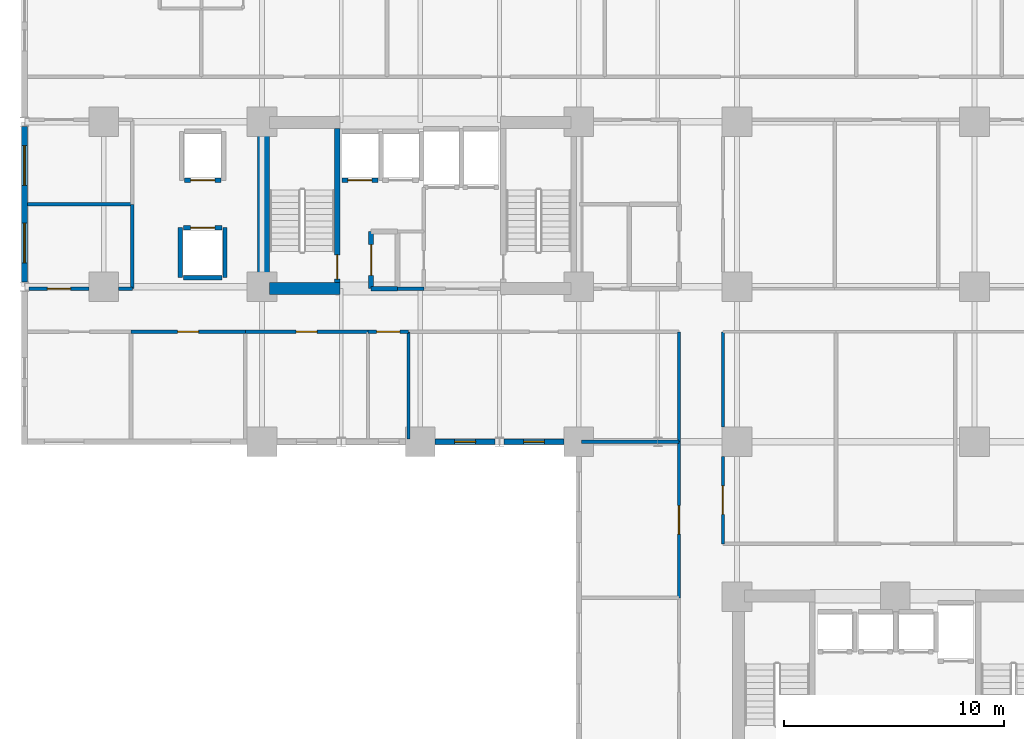
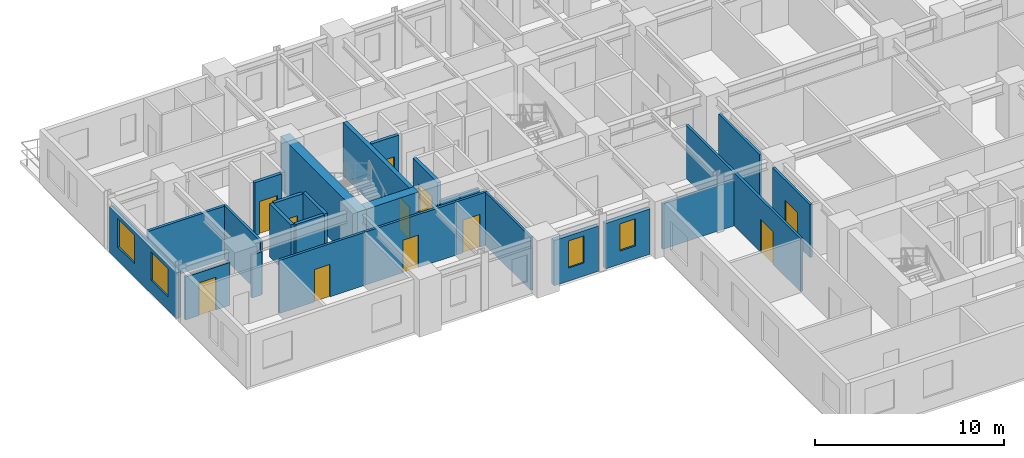
# One storey, part 3 of 11: 28 walls, 11 doors, 4 windows, 15 openings.
"""IFC4 building model written with IfcOpenShell, lengths in metres."""

from ifc_helpers import new_model, si_unit, direction, frame, frame_2d, origin, place, context, subcontext, project, spatial, rectangle, extrude, material, layer, layer_set, type_object, element, fill, save


model = new_model("IFC4")

# Units and contexts
model_context = context("Model", 3, precision=1e-05, world=origin(), true_north=direction((0.0, 1.0)))
body_context = subcontext(model_context, "Body", "Model", "MODEL_VIEW")
ifc_project = project(units=[si_unit("LENGTHUNIT", "METRE"), si_unit("AREAUNIT", "SQUARE_METRE"), si_unit("VOLUMEUNIT", "CUBIC_METRE"), si_unit("PLANEANGLEUNIT", "RADIAN"), si_unit("MASSUNIT", "GRAM", prefix="KILO")], contexts=[model_context])

# Site, building, storey
site_placement = place(None, origin())
site = spatial("IfcSite", under=ifc_project, at=site_placement, CompositionType="ELEMENT")
building_placement = place(site_placement, origin())
building = spatial("IfcBuilding", under=site, at=building_placement, Name="Kaliganga Portal Commons", CompositionType="ELEMENT")
storey_placement = place(building_placement, frame((0.0, 0.0, 40.10009765625)))
storey = spatial("IfcBuildingStorey", under=building, at=storey_placement, Name="L09", CompositionType="ELEMENT", Elevation=40.10009765625)

# Walls
ifc_material_1 = material(Name="Concrete C60/75", Category="concrete")
ifc_layer_1 = layer(ifc_material_1, 0.550048828125)
ifc_layer_set_1 = layer_set([ifc_layer_1], Name="Concrete C60/75")
wall_type_1 = type_object("IfcWallType", Name="WL-CORE-550", PredefinedType="SHEAR", material=ifc_layer_set_1)
wall_1_placement = place(storey_placement, frame((14.47509765625, 28.300048828125, 0.0), z_axis=(0.0, 0.0, 1.0), x_axis=(0.0, 1.0, 0.0)))
element("IfcWall", 1, at=wall_1_placement, inside=storey, type_object=wall_type_1, Name="Core A West Shear Wall L09", PredefinedType="SHEAR", context=body_context, shape_type="SweptSolid", body=[
    extrude(rectangle(XDim=8.099853515625, YDim=0.550048828125, at=frame_2d((4.0498046875, 0.0))), origin(), (0.0, 0.0, 1.0), 3.449951171875),
])
wall_2_placement = place(storey_placement, frame((14.75, 28.574951171875, 0.0), z_axis=(0.0, 0.0, 1.0), x_axis=(1.0, 0.0, 0.0)))
element("IfcWall", 2, at=wall_2_placement, inside=storey, type_object=wall_type_1, Name="Core A S-West Shear Wall L09", PredefinedType="SHEAR", context=body_context, shape_type="SweptSolid", body=[
    extrude(rectangle(XDim=3.199951171875, YDim=0.550048828125, at=frame_2d((1.60009765625, 0.0))), origin(), (0.0, 0.0, 1.0), 3.449951171875),
])

# Wall, openings, windows
ifc_material_2 = material(Name="Insulated Aluminium-Clad Spandrel Assembly", Category="aluminium")
ifc_layer_2 = layer(ifc_material_2, 0.260009765625)
ifc_layer_set_2 = layer_set([ifc_layer_2], Name="Insulated Aluminium-Clad Spandrel Assembly")
wall_type_2 = type_object("IfcWallType", Name="WL-EXT-SPAND-260", PredefinedType="STANDARD", material=ifc_layer_set_2)
wall_3_placement = place(storey_placement, frame((3.60009765625, 28.8740234375, 0.0), z_axis=(0.0, 0.0, 1.0), x_axis=(0.0, 1.0, 0.0)))
wall_3 = element("IfcWall", 3, at=wall_3_placement, inside=storey, type_object=wall_type_2, Name="Exterior Envelope Wall L09 P1-E03-S2", PredefinedType="STANDARD", context=body_context, shape_type="SweptSolid", body=[
    extrude(rectangle(XDim=7.052001953125, YDim=0.260009765625, at=frame_2d((3.52587890625, 0.0))), origin(), (0.0, 0.0, 1.0), 2.929931640625),
])
opening_1_placement = place(wall_3_placement, frame((0.863037109375, 0.0, 0.85009765625)))
opening_1 = element("IfcOpeningElement", 4, at=opening_1_placement, cuts=wall_3, Name="Opening W-01", PredefinedType="OPENING", context=body_context, shape_type="SweptSolid", body=[
    extrude(rectangle(XDim=1.800048828125, YDim=1.85009765625, at=frame_2d((0.89990234375, 0.925048828125))), frame((0.0, 0.14013671875, 0.0), z_axis=(0.0, -1.0, 0.0), x_axis=(1.0, 0.0, 0.0)), (0.0, 0.0, 1.0), 0.280029296875),
])
opening_2_placement = place(wall_3_placement, frame((4.388916015625, 0.0, 0.85009765625)))
opening_2 = element("IfcOpeningElement", 5, at=opening_2_placement, cuts=wall_3, Name="Opening W-01", PredefinedType="OPENING", context=body_context, shape_type="SweptSolid", body=[
    extrude(rectangle(XDim=1.800048828125, YDim=1.85009765625, at=frame_2d((0.89990234375, 0.925048828125))), frame((0.0, 0.14013671875, 0.0), z_axis=(0.0, -1.0, 0.0), x_axis=(1.0, 0.0, 0.0)), (0.0, 0.0, 1.0), 0.280029296875),
])
ifc_material_3 = material(Name="Thermally Broken Aluminium and Low-E Double Glazing", Category="aluminium")
window_type_1 = type_object("IfcWindowType", Name="WIN-STD-1800", PartitioningType="DOUBLE_PANEL_VERTICAL", PredefinedType="WINDOW", material=ifc_material_3)
window_1_placement = place(opening_1_placement, origin())
window_1 = element("IfcWindow", 6, at=window_1_placement, inside=storey, type_object=window_type_1, Name="Facade Window L09-P1E03S2-00", OverallHeight=1.85009765625, OverallWidth=1.800048828125, PartitioningType="SINGLE_PANEL", PredefinedType="WINDOW", context=body_context, shape_type="SweptSolid", body=[
    extrude(rectangle(XDim=1.800048828125, YDim=1.85009765625, at=frame_2d((0.89990234375, 0.925048828125))), frame((0.0, 0.030029296875, 0.0), z_axis=(0.0, -1.0, 0.0), x_axis=(1.0, 0.0, 0.0)), (0.0, 0.0, 1.0), 0.06005859375),
])
fill(opening_1, window_1)
window_2_placement = place(opening_2_placement, origin())
window_2 = element("IfcWindow", 7, at=window_2_placement, inside=storey, type_object=window_type_1, Name="Facade Window L09-P1E03S2-01", OverallHeight=1.85009765625, OverallWidth=1.800048828125, PartitioningType="SINGLE_PANEL", PredefinedType="WINDOW", context=body_context, shape_type="SweptSolid", body=[
    extrude(rectangle(XDim=1.800048828125, YDim=1.85009765625, at=frame_2d((0.89990234375, 0.925048828125))), frame((0.0, 0.030029296875, 0.0), z_axis=(0.0, -1.0, 0.0), x_axis=(1.0, 0.0, 0.0)), (0.0, 0.0, 1.0), 0.06005859375),
])
fill(opening_2, window_2)

# Wall, opening, window
wall_4_placement = place(storey_placement, frame((24.990966796875, 21.60009765625, 0.0), z_axis=(0.0, 0.0, 1.0), x_axis=(-1.0, 0.0, 0.0)))
wall_4 = element("IfcWall", 8, at=wall_4_placement, inside=storey, type_object=wall_type_2, Name="Exterior Envelope Wall L09 P1-E04-S4", PredefinedType="STANDARD", context=body_context, shape_type="SweptSolid", body=[
    extrude(rectangle(XDim=2.715087890625, YDim=0.260009765625, at=frame_2d((1.357421875, 0.0))), origin(), (0.0, 0.0, 1.0), 2.929931640625),
])
opening_3_placement = place(wall_4_placement, frame((0.882568359375, 0.0, 0.85009765625)))
opening_3 = element("IfcOpeningElement", 9, at=opening_3_placement, cuts=wall_4, Name="Opening W-04", PredefinedType="OPENING", context=body_context, shape_type="SweptSolid", body=[
    extrude(rectangle(XDim=0.949951171875, YDim=1.75, at=frame_2d((0.47509765625, 0.875))), frame((0.0, 0.14013671875, 0.0), z_axis=(0.0, -1.0, 0.0), x_axis=(1.0, 0.0, 0.0)), (0.0, 0.0, 1.0), 0.280029296875),
])
window_type_2 = type_object("IfcWindowType", Name="WIN-NARROW-950", PartitioningType="SINGLE_PANEL", PredefinedType="WINDOW", material=ifc_material_3)
window_3_placement = place(opening_3_placement, origin())
window_3 = element("IfcWindow", 10, at=window_3_placement, inside=storey, type_object=window_type_2, Name="Facade Window L09-P1E04S4-00", OverallHeight=1.75, OverallWidth=0.949951171875, PartitioningType="SINGLE_PANEL", PredefinedType="WINDOW", context=body_context, shape_type="SweptSolid", body=[
    extrude(rectangle(XDim=0.949951171875, YDim=1.75, at=frame_2d((0.47509765625, 0.875))), frame((0.0, 0.030029296875, 0.0), z_axis=(0.0, -1.0, 0.0), x_axis=(1.0, 0.0, 0.0)), (0.0, 0.0, 1.0), 0.06005859375),
])
fill(opening_3, window_3)

wall_5_placement = place(storey_placement, frame((28.1240234375, 21.60009765625, 0.0), z_axis=(0.0, 0.0, 1.0), x_axis=(-1.0, 0.0, 0.0)))
wall_5 = element("IfcWall", 11, at=wall_5_placement, inside=storey, type_object=wall_type_2, Name="Exterior Envelope Wall L09 P1-E04-S5", PredefinedType="STANDARD", context=body_context, shape_type="SweptSolid", body=[
    extrude(rectangle(XDim=2.715087890625, YDim=0.260009765625, at=frame_2d((1.357421875, 0.0))), origin(), (0.0, 0.0, 1.0), 2.929931640625),
])
opening_4_placement = place(wall_5_placement, frame((0.882568359375, 0.0, 0.85009765625)))
opening_4 = element("IfcOpeningElement", 12, at=opening_4_placement, cuts=wall_5, Name="Opening W-04", PredefinedType="OPENING", context=body_context, shape_type="SweptSolid", body=[
    extrude(rectangle(XDim=0.949951171875, YDim=1.75, at=frame_2d((0.47509765625, 0.875))), frame((0.0, 0.14013671875, 0.0), z_axis=(0.0, -1.0, 0.0), x_axis=(1.0, 0.0, 0.0)), (0.0, 0.0, 1.0), 0.280029296875),
])
window_4_placement = place(opening_4_placement, origin())
window_4 = element("IfcWindow", 13, at=window_4_placement, inside=storey, type_object=window_type_2, Name="Facade Window L09-P1E04S5-00", OverallHeight=1.75, OverallWidth=0.949951171875, PartitioningType="SINGLE_PANEL", PredefinedType="WINDOW", context=body_context, shape_type="SweptSolid", body=[
    extrude(rectangle(XDim=0.949951171875, YDim=1.75, at=frame_2d((0.47509765625, 0.875))), frame((0.0, 0.030029296875, 0.0), z_axis=(0.0, -1.0, 0.0), x_axis=(1.0, 0.0, 0.0)), (0.0, 0.0, 1.0), 0.06005859375),
])
fill(opening_4, window_4)

# Wall, opening, door
ifc_material_4 = material(Name="Fire-Rated Gypsum Board on Steel Stud", Category="steel")
ifc_layer_3 = layer(ifc_material_4, 0.14990234375)
ifc_layer_set_3 = layer_set([ifc_layer_3], Name="Fire-Rated Gypsum Board on Steel Stud")
wall_type_3 = type_object("IfcWallType", Name="WL-PART-CORR-150", PredefinedType="PARTITIONING", material=ifc_layer_set_3)
wall_6_placement = place(storey_placement, frame((35.360107421875, 16.9599609375, 0.0), z_axis=(0.0, 0.0, 1.0), x_axis=(0.0, 1.0, 0.0)))
wall_6 = element("IfcWall", 14, at=wall_6_placement, inside=storey, type_object=wall_type_3, Name="Interior Partition L09-010", PredefinedType="PARTITIONING", context=body_context, shape_type="SweptSolid", body=[
    extrude(rectangle(XDim=3.965087890625, YDim=0.14990234375, at=frame_2d((1.982421875, 0.0))), origin(), (0.0, 0.0, 1.0), 3.429931640625),
])
opening_5_placement = place(wall_6_placement, frame((1.33251953125, 0.0, 0.0)))
opening_5 = element("IfcOpeningElement", 15, at=opening_5_placement, cuts=wall_6, Name="Opening RD-03", PredefinedType="OPENING", context=body_context, shape_type="SweptSolid", body=[
    extrude(rectangle(XDim=1.300048828125, YDim=2.1201171875, at=frame_2d((0.64990234375, 1.06005859375))), frame((0.0, 0.0849609375, 0.0), z_axis=(0.0, -1.0, 0.0), x_axis=(1.0, 0.0, 0.0)), (0.0, 0.0, 1.0), 0.169921875),
])
ifc_material_5 = material(Name="Glazed Timber Seminar Vision Door", Category="wood")
door_type_1 = type_object("IfcDoorType", Name="DR-STUDY-1300", OperationType="DOUBLE_DOOR_SINGLE_SWING", PredefinedType="DOOR", material=ifc_material_5)
door_1_placement = place(opening_5_placement, origin())
door_1 = element("IfcDoor", 16, at=door_1_placement, inside=storey, type_object=door_type_1, Name="Interior Door L09-BM01", OperationType="DOUBLE_DOOR_SINGLE_SWING", OverallHeight=2.1201171875, OverallWidth=1.300048828125, PredefinedType="DOOR", context=body_context, shape_type="SweptSolid", body=[
    extrude(rectangle(XDim=1.300048828125, YDim=2.1201171875, at=frame_2d((0.64990234375, 1.06005859375))), frame((0.0, 0.02490234375, 0.0), z_axis=(0.0, -1.0, 0.0), x_axis=(1.0, 0.0, 0.0)), (0.0, 0.0, 1.0), 0.050048828125),
])
fill(opening_5, door_1)

# Wall
wall_7_placement = place(storey_placement, frame((35.360107421875, 22.27490234375, 0.0), z_axis=(0.0, 0.0, 1.0), x_axis=(0.0, 1.0, 0.0)))
element("IfcWall", 17, at=wall_7_placement, inside=storey, type_object=wall_type_3, Name="Interior Partition L09-011", PredefinedType="PARTITIONING", context=body_context, shape_type="SweptSolid", body=[
    extrude(rectangle(XDim=4.3251953125, YDim=0.14990234375, at=frame_2d((2.16259765625, 0.0))), origin(), (0.0, 0.0, 1.0), 3.429931640625),
])

# Wall, opening, door
wall_8_placement = place(storey_placement, frame((33.360107421875, 14.5, 0.0), z_axis=(0.0, 0.0, 1.0), x_axis=(0.0, 1.0, 0.0)))
wall_8 = element("IfcWall", 18, at=wall_8_placement, inside=storey, type_object=wall_type_3, Name="Interior Partition L09-020", PredefinedType="PARTITIONING", context=body_context, shape_type="SweptSolid", body=[
    extrude(rectangle(XDim=7.10009765625, YDim=0.14990234375, at=frame_2d((3.550048828125, 0.0))), origin(), (0.0, 0.0, 1.0), 3.429931640625),
])
opening_6_placement = place(wall_8_placement, frame((2.89990234375, 0.0, 0.0)))
opening_6 = element("IfcOpeningElement", 19, at=opening_6_placement, cuts=wall_8, Name="Opening RD-03", PredefinedType="OPENING", context=body_context, shape_type="SweptSolid", body=[
    extrude(rectangle(XDim=1.300048828125, YDim=2.1201171875, at=frame_2d((0.64990234375, 1.06005859375))), frame((0.0, 0.0849609375, 0.0), z_axis=(0.0, -1.0, 0.0), x_axis=(1.0, 0.0, 0.0)), (0.0, 0.0, 1.0), 0.169921875),
])
door_2_placement = place(opening_6_placement, origin())
door_2 = element("IfcDoor", 20, at=door_2_placement, inside=storey, type_object=door_type_1, Name="Interior Door L09-KW02", OperationType="DOUBLE_DOOR_SINGLE_SWING", OverallHeight=2.1201171875, OverallWidth=1.300048828125, PredefinedType="DOOR", context=body_context, shape_type="SweptSolid", body=[
    extrude(rectangle(XDim=1.300048828125, YDim=2.1201171875, at=frame_2d((0.64990234375, 1.06005859375))), frame((0.0, 0.02490234375, 0.0), z_axis=(0.0, -1.0, 0.0), x_axis=(1.0, 0.0, 0.0)), (0.0, 0.0, 1.0), 0.050048828125),
])
fill(opening_6, door_2)

wall_9_placement = place(storey_placement, frame((13.639892578125, 26.60009765625, 0.0), z_axis=(0.0, 0.0, 1.0), x_axis=(1.0, 0.0, 0.0)))
wall_9 = element("IfcWall", 21, at=wall_9_placement, inside=storey, type_object=wall_type_3, Name="Interior Partition L09-028", PredefinedType="PARTITIONING", context=body_context, shape_type="SweptSolid", body=[
    extrude(rectangle(XDim=5.580078125, YDim=0.14990234375, at=frame_2d((2.7900390625, 0.0))), origin(), (0.0, 0.0, 1.0), 3.429931640625),
])
opening_7_placement = place(wall_9_placement, frame((2.31494140625, 0.0, 0.0)))
opening_7 = element("IfcOpeningElement", 22, at=opening_7_placement, cuts=wall_9, Name="Opening UD-01", PredefinedType="OPENING", context=body_context, shape_type="SweptSolid", body=[
    extrude(rectangle(XDim=0.949951171875, YDim=2.10009765625, at=frame_2d((0.47509765625, 1.050048828125))), frame((0.0, 0.0849609375, 0.0), z_axis=(0.0, -1.0, 0.0), x_axis=(1.0, 0.0, 0.0)), (0.0, 0.0, 1.0), 0.169921875),
])
ifc_material_6 = material(Name="Solid-Core Timber Acoustic Fire Door", Category="wood")
door_type_2 = type_object("IfcDoorType", Name="DR-UNIT-950", OperationType="NOTDEFINED", PredefinedType="DOOR", material=ifc_material_6)
door_3_placement = place(opening_7_placement, origin())
door_3 = element("IfcDoor", 23, at=door_3_placement, inside=storey, type_object=door_type_2, Name="Interior Door L09-AS03", OperationType="SINGLE_SWING_RIGHT", OverallHeight=2.10009765625, OverallWidth=0.949951171875, PredefinedType="DOOR", context=body_context, shape_type="SweptSolid", body=[
    extrude(rectangle(XDim=0.949951171875, YDim=2.10009765625, at=frame_2d((0.47509765625, 1.050048828125))), frame((0.0, 0.02490234375, 0.0), z_axis=(0.0, -1.0, 0.0), x_axis=(1.0, 0.0, 0.0)), (0.0, 0.0, 1.0), 0.050048828125),
])
fill(opening_7, door_3)

wall_10_placement = place(storey_placement, frame((8.43994140625, 26.60009765625, 0.0), z_axis=(0.0, 0.0, 1.0), x_axis=(1.0, 0.0, 0.0)))
wall_10 = element("IfcWall", 24, at=wall_10_placement, inside=storey, type_object=wall_type_3, Name="Interior Partition L09-031", PredefinedType="PARTITIONING", context=body_context, shape_type="SweptSolid", body=[
    extrude(rectangle(XDim=5.199951171875, YDim=0.14990234375, at=frame_2d((2.60009765625, 0.0))), origin(), (0.0, 0.0, 1.0), 3.429931640625),
])
opening_8_placement = place(wall_10_placement, frame((2.125, 0.0, 0.0)))
opening_8 = element("IfcOpeningElement", 25, at=opening_8_placement, cuts=wall_10, Name="Opening UD-01", PredefinedType="OPENING", context=body_context, shape_type="SweptSolid", body=[
    extrude(rectangle(XDim=0.949951171875, YDim=2.10009765625, at=frame_2d((0.47509765625, 1.050048828125))), frame((0.0, 0.0849609375, 0.0), z_axis=(0.0, -1.0, 0.0), x_axis=(1.0, 0.0, 0.0)), (0.0, 0.0, 1.0), 0.169921875),
])
door_4_placement = place(opening_8_placement, origin())
door_4 = element("IfcDoor", 26, at=door_4_placement, inside=storey, type_object=door_type_2, Name="Interior Door L09-AS02", OperationType="SINGLE_SWING_LEFT", OverallHeight=2.10009765625, OverallWidth=0.949951171875, PredefinedType="DOOR", context=body_context, shape_type="SweptSolid", body=[
    extrude(rectangle(XDim=0.949951171875, YDim=2.10009765625, at=frame_2d((0.47509765625, 1.050048828125))), frame((0.0, 0.02490234375, 0.0), z_axis=(0.0, -1.0, 0.0), x_axis=(1.0, 0.0, 0.0)), (0.0, 0.0, 1.0), 0.050048828125),
])
fill(opening_8, door_4)

# Wall
wall_11_placement = place(storey_placement, frame((33.360107421875, 21.60009765625, 0.0), z_axis=(0.0, 0.0, 1.0), x_axis=(0.0, 1.0, 0.0)))
element("IfcWall", 27, at=wall_11_placement, inside=storey, type_object=wall_type_3, Name="Interior Partition L09-034", PredefinedType="PARTITIONING", context=body_context, shape_type="SweptSolid", body=[
    extrude(rectangle(XDim=5.0, YDim=0.14990234375, at=frame_2d((2.5, 0.0))), origin(), (0.0, 0.0, 1.0), 3.429931640625),
])

# Wall, opening, door
wall_12_placement = place(storey_placement, frame((3.80810546875, 28.56005859375, 0.0), z_axis=(0.0, 0.0, 1.0), x_axis=(1.0, 0.0, 0.0)))
wall_12 = element("IfcWall", 28, at=wall_12_placement, inside=storey, type_object=wall_type_3, Name="Interior Partition L09-035", PredefinedType="PARTITIONING", context=body_context, shape_type="SweptSolid", body=[
    extrude(rectangle(XDim=2.716796875, YDim=0.14990234375, at=frame_2d((1.3583984375, 0.0))), origin(), (0.0, 0.0, 1.0), 2.77978515625),
])
opening_9_placement = place(wall_12_placement, frame((0.83349609375, 0.0, 0.0)))
opening_9 = element("IfcOpeningElement", 29, at=opening_9_placement, cuts=wall_12, Name="Opening UD-02", PredefinedType="OPENING", context=body_context, shape_type="SweptSolid", body=[
    extrude(rectangle(XDim=1.050048828125, YDim=2.1201171875, at=frame_2d((0.52490234375, 1.06005859375))), frame((0.0, 0.0849609375, 0.0), z_axis=(0.0, -1.0, 0.0), x_axis=(1.0, 0.0, 0.0)), (0.0, 0.0, 1.0), 0.169921875),
])
ifc_material_7 = material(Name="Accessible Wide-Leaf Acoustic Fire Door", Category="wood")
door_type_3 = type_object("IfcDoorType", Name="DR-ACC-1050", OperationType="NOTDEFINED", PredefinedType="DOOR", material=ifc_material_7)
door_5_placement = place(opening_9_placement, origin())
door_5 = element("IfcDoor", 30, at=door_5_placement, inside=storey, type_object=door_type_3, Name="Interior Door L09-AW01", OperationType="SINGLE_SWING_RIGHT", OverallHeight=2.1201171875, OverallWidth=1.050048828125, PredefinedType="DOOR", context=body_context, shape_type="SweptSolid", body=[
    extrude(rectangle(XDim=1.050048828125, YDim=2.1201171875, at=frame_2d((0.52490234375, 1.06005859375))), frame((0.0, 0.02490234375, 0.0), z_axis=(0.0, -1.0, 0.0), x_axis=(1.0, 0.0, 0.0)), (0.0, 0.0, 1.0), 0.050048828125),
])
fill(opening_9, door_5)

# Walls
wall_13_placement = place(storey_placement, frame((7.875, 28.56005859375, 0.0), z_axis=(0.0, 0.0, 1.0), x_axis=(1.0, 0.0, 0.0)))
element("IfcWall", 31, at=wall_13_placement, inside=storey, type_object=wall_type_3, Name="Interior Partition L09-036", PredefinedType="PARTITIONING", context=body_context, shape_type="SweptSolid", body=[
    extrude(rectangle(XDim=0.625, YDim=0.14990234375, at=frame_2d((0.3125, 0.0))), origin(), (0.0, 0.0, 1.0), 2.77978515625),
])
wall_14_placement = place(storey_placement, frame((8.5, 28.56005859375, 0.0), z_axis=(0.0, 0.0, 1.0), x_axis=(0.0, 1.0, 0.0)))
element("IfcWall", 32, at=wall_14_placement, inside=storey, type_object=wall_type_3, Name="Interior Partition L09-047", PredefinedType="PARTITIONING", context=body_context, shape_type="SweptSolid", body=[
    extrude(rectangle(XDim=3.83984375, YDim=0.14990234375, at=frame_2d((1.919921875, 0.0))), origin(), (0.0, 0.0, 1.0), 3.429931640625),
])

# Wall, opening, door
wall_15_placement = place(storey_placement, frame((19.219970703125, 26.60009765625, 0.0), z_axis=(0.0, 0.0, 1.0), x_axis=(1.0, 0.0, 0.0)))
wall_15 = element("IfcWall", 33, at=wall_15_placement, inside=storey, type_object=wall_type_3, Name="Interior Partition L09-054", PredefinedType="PARTITIONING", context=body_context, shape_type="SweptSolid", body=[
    extrude(rectangle(XDim=1.840087890625, YDim=0.14990234375, at=frame_2d((0.919921875, 0.0))), origin(), (0.0, 0.0, 1.0), 3.429931640625),
])
opening_10_placement = place(wall_15_placement, frame((0.39501953125, 0.0, 0.0)))
opening_10 = element("IfcOpeningElement", 34, at=opening_10_placement, cuts=wall_15, Name="Opening UD-02", PredefinedType="OPENING", context=body_context, shape_type="SweptSolid", body=[
    extrude(rectangle(XDim=1.050048828125, YDim=2.1201171875, at=frame_2d((0.52490234375, 1.06005859375))), frame((0.0, 0.0849609375, 0.0), z_axis=(0.0, -1.0, 0.0), x_axis=(1.0, 0.0, 0.0)), (0.0, 0.0, 1.0), 0.169921875),
])
door_6_placement = place(opening_10_placement, origin())
door_6 = element("IfcDoor", 35, at=door_6_placement, inside=storey, type_object=door_type_3, Name="Interior Door L09-AS04", OperationType="SINGLE_SWING_RIGHT", OverallHeight=2.1201171875, OverallWidth=1.050048828125, PredefinedType="DOOR", context=body_context, shape_type="SweptSolid", body=[
    extrude(rectangle(XDim=1.050048828125, YDim=2.1201171875, at=frame_2d((0.52490234375, 1.06005859375))), frame((0.0, 0.02490234375, 0.0), z_axis=(0.0, -1.0, 0.0), x_axis=(1.0, 0.0, 0.0)), (0.0, 0.0, 1.0), 0.050048828125),
])
fill(opening_10, door_6)

# Wall
wall_16_placement = place(storey_placement, frame((20.56005859375, 28.56005859375, 0.0), z_axis=(0.0, 0.0, 1.0), x_axis=(1.0, 0.0, 0.0)))
element("IfcWall", 36, at=wall_16_placement, inside=storey, type_object=wall_type_3, Name="Interior Partition L09-055", PredefinedType="PARTITIONING", context=body_context, shape_type="SweptSolid", body=[
    extrude(rectangle(XDim=1.199951171875, YDim=0.14990234375, at=frame_2d((0.60009765625, 0.0))), origin(), (0.0, 0.0, 1.0), 2.22998046875),
])

# Wall, opening, door
ifc_material_8 = material(Name="Lightweight blockwork masonry", Category="masonry")
ifc_layer_4 = layer(ifc_material_8, 0.215087890625)
ifc_layer_set_4 = layer_set([ifc_layer_4], Name="Lightweight blockwork masonry")
wall_type_4 = type_object("IfcWallType", Name="WL-PART-PLANT-215", PredefinedType="PARTITIONING", material=ifc_layer_set_4)
wall_17_placement = place(storey_placement, frame((19.360107421875, 28.56005859375, 0.0), z_axis=(0.0, 0.0, 1.0), x_axis=(0.0, 1.0, 0.0)))
wall_17 = element("IfcWall", 37, at=wall_17_placement, inside=storey, type_object=wall_type_4, Name="Interior Partition L09-049", PredefinedType="PARTITIONING", context=body_context, shape_type="SweptSolid", body=[
    extrude(rectangle(XDim=2.599853515625, YDim=0.215087890625, at=frame_2d((1.2998046875, 0.0))), origin(), (0.0, 0.0, 1.0), 3.429931640625),
])
opening_11_placement = place(wall_17_placement, frame((0.60009765625, 0.0, 0.0)))
opening_11 = element("IfcOpeningElement", 38, at=opening_11_placement, cuts=wall_17, Name="Opening PD-01", PredefinedType="OPENING", context=body_context, shape_type="SweptSolid", body=[
    extrude(rectangle(XDim=1.39990234375, YDim=2.14990234375, at=frame_2d((0.699951171875, 1.074951171875))), frame((0.0, 0.11767578125, 0.0), z_axis=(0.0, -1.0, 0.0), x_axis=(1.0, 0.0, 0.0)), (0.0, 0.0, 1.0), 0.235107421875),
])
ifc_material_9 = material(Name="Heavy-Duty Steel Acoustic Louvre Fire Door", Category="steel")
door_type_4 = type_object("IfcDoorType", Name="DR-PLANT-1400", OperationType="DOUBLE_DOOR_SINGLE_SWING", PredefinedType="DOOR", material=ifc_material_9)
door_7_placement = place(opening_11_placement, origin())
door_7 = element("IfcDoor", 39, at=door_7_placement, inside=storey, type_object=door_type_4, Name="Interior Door L09-CIN_A1", OperationType="DOUBLE_DOOR_SINGLE_SWING", OverallHeight=2.14990234375, OverallWidth=1.39990234375, PredefinedType="DOOR", context=body_context, shape_type="SweptSolid", body=[
    extrude(rectangle(XDim=1.39990234375, YDim=2.14990234375, at=frame_2d((0.699951171875, 1.074951171875))), frame((0.0, 0.02490234375, 0.0), z_axis=(0.0, -1.0, 0.0), x_axis=(1.0, 0.0, 0.0)), (0.0, 0.0, 1.0), 0.050048828125),
])
fill(opening_11, door_7)

# Walls
wall_18_placement = place(storey_placement, frame((19.360107421875, 28.56005859375, 0.0), z_axis=(0.0, 0.0, 1.0), x_axis=(1.0, 0.0, 0.0)))
element("IfcWall", 40, at=wall_18_placement, inside=storey, type_object=wall_type_4, Name="Interior Partition L09-057", PredefinedType="PARTITIONING", context=body_context, shape_type="SweptSolid", body=[
    extrude(rectangle(XDim=1.199951171875, YDim=0.215087890625, at=frame_2d((0.60009765625, 0.0))), origin(), (0.0, 0.0, 1.0), 2.22998046875),
])
ifc_material_10 = material(Name="Twin-Stud Acoustic Gypsum Partition", Category="gypsum")
ifc_layer_5 = layer(ifc_material_10, 0.1650390625)
ifc_layer_set_5 = layer_set([ifc_layer_5], Name="Twin-Stud Acoustic Gypsum Partition")
wall_type_5 = type_object("IfcWallType", Name="WL-PART-UNIT-165", PredefinedType="PARTITIONING", material=ifc_layer_set_5)
wall_19_placement = place(storey_placement, frame((3.73193359375, 32.39990234375, 0.0), z_axis=(0.0, 0.0, 1.0), x_axis=(1.0, 0.0, 0.0)))
element("IfcWall", 41, at=wall_19_placement, inside=storey, type_object=wall_type_5, Name="Interior Partition L09-081", PredefinedType="PARTITIONING", context=body_context, shape_type="SweptSolid", body=[
    extrude(rectangle(XDim=4.76806640625, YDim=0.1650390625, at=frame_2d((2.384033203125, 0.0))), origin(), (0.0, 0.0, 1.0), 3.429931640625),
])
wall_20_placement = place(storey_placement, frame((28.931884765625, 21.60009765625, 0.0), z_axis=(0.0, 0.0, 1.0), x_axis=(1.0, 0.0, 0.0)))
element("IfcWall", 42, at=wall_20_placement, inside=storey, type_object=wall_type_5, Name="Interior Partition L09-084", PredefinedType="PARTITIONING", context=body_context, shape_type="SweptSolid", body=[
    extrude(rectangle(XDim=4.42822265625, YDim=0.1650390625, at=frame_2d((2.214111328125, 0.0))), origin(), (0.0, 0.0, 1.0), 2.929931640625),
])
ifc_material_11 = material(Name="Cement-Board Wet-Room Partition", Category="gypsum")
ifc_layer_6 = layer(ifc_material_11, 0.135009765625)
ifc_layer_set_6 = layer_set([ifc_layer_6], Name="Cement-Board Wet-Room Partition")
wall_type_6 = type_object("IfcWallType", Name="WL-PART-WET-135", PredefinedType="PARTITIONING", material=ifc_layer_set_6)
wall_21_placement = place(storey_placement, frame((21.06005859375, 21.73193359375, 0.0), z_axis=(0.0, 0.0, 1.0), x_axis=(0.0, 1.0, 0.0)))
element("IfcWall", 43, at=wall_21_placement, inside=storey, type_object=wall_type_6, Name="Interior Partition L09-076", PredefinedType="PARTITIONING", context=body_context, shape_type="SweptSolid", body=[
    extrude(rectangle(XDim=4.8681640625, YDim=0.135009765625, at=frame_2d((2.43408203125, 0.0))), origin(), (0.0, 0.0, 1.0), 3.429931640625),
])

# Wall, opening, door
ifc_material_12 = material(Name="Fire-Rated Shaftwall Masonry Assembly", Category="masonry")
ifc_layer_7 = layer(ifc_material_12, 0.199951171875)
ifc_layer_set_7 = layer_set([ifc_layer_7], Name="Fire-Rated Shaftwall Masonry Assembly")
wall_type_7 = type_object("IfcWallType", Name="WL-SHAFT-200", PredefinedType="PARTITIONING", material=ifc_layer_set_7)
wall_22_placement = place(storey_placement, frame((18.02490234375, 33.485107421875, 0.0), z_axis=(0.0, 0.0, 1.0), x_axis=(1.0, 0.0, 0.0)))
wall_22 = element("IfcWall", 44, at=wall_22_placement, inside=storey, type_object=wall_type_7, Name="Lift PL-A1 Hoistway Shaft Wall L09-S", PredefinedType="PARTITIONING", context=body_context, shape_type="SweptSolid", body=[
    extrude(rectangle(XDim=1.650146484375, YDim=0.199951171875, at=frame_2d((0.8251953125, 0.0))), origin(), (0.0, 0.0, 1.0), 3.429931640625),
])
opening_12_placement = place(wall_22_placement, frame((0.27490234375, 0.0, 0.0)))
opening_12 = element("IfcOpeningElement", 45, at=opening_12_placement, cuts=wall_22, Name="Opening LD-01", PredefinedType="OPENING", context=body_context, shape_type="SweptSolid", body=[
    extrude(rectangle(XDim=1.10009765625, YDim=2.1201171875, at=frame_2d((0.550048828125, 1.06005859375))), frame((0.0, 0.10986328125, 0.0), z_axis=(0.0, -1.0, 0.0), x_axis=(1.0, 0.0, 0.0)), (0.0, 0.0, 1.0), 0.219970703125),
])
ifc_material_13 = material(Name="Brushed Stainless Steel 316 Lift Landing Door", Category="steel")
door_type_5 = type_object("IfcDoorType", Name="DR-LIFT-1100", OperationType="SLIDING_TO_LEFT", PredefinedType="DOOR", material=ifc_material_13)
door_8_placement = place(opening_12_placement, origin())
door_8 = element("IfcDoor", 46, at=door_8_placement, inside=storey, type_object=door_type_5, Name="Lift PL-A1 Sliding Landing Door L09", OperationType="SLIDING_TO_LEFT", OverallHeight=2.1201171875, OverallWidth=1.10009765625, PredefinedType="DOOR", context=body_context, shape_type="SweptSolid", body=[
    extrude(rectangle(XDim=1.10009765625, YDim=2.1201171875, at=frame_2d((0.550048828125, 1.06005859375))), frame((0.0, 0.02490234375, 0.0), z_axis=(0.0, -1.0, 0.0), x_axis=(1.0, 0.0, 0.0)), (0.0, 0.0, 1.0), 0.050048828125),
])
fill(opening_12, door_8)

# Wall
wall_23_placement = place(storey_placement, frame((10.824951171875, 29.06005859375, 0.0), z_axis=(0.0, 0.0, 1.0), x_axis=(1.0, 0.0, 0.0)))
element("IfcWall", 47, at=wall_23_placement, inside=storey, type_object=wall_type_7, Name="Lift SH-1 Hoistway Shaft Wall L09-S", PredefinedType="PARTITIONING", context=body_context, shape_type="SweptSolid", body=[
    extrude(rectangle(XDim=1.75, YDim=0.199951171875, at=frame_2d((0.875, 0.0))), origin(), (0.0, 0.0, 1.0), 3.429931640625),
])

# Wall, opening, door
wall_24_placement = place(storey_placement, frame((10.824951171875, 31.340087890625, 0.0), z_axis=(0.0, 0.0, 1.0), x_axis=(1.0, 0.0, 0.0)))
wall_24 = element("IfcWall", 48, at=wall_24_placement, inside=storey, type_object=wall_type_7, Name="Lift SH-1 Hoistway Shaft Wall L09-N", PredefinedType="PARTITIONING", context=body_context, shape_type="SweptSolid", body=[
    extrude(rectangle(XDim=1.75, YDim=0.199951171875, at=frame_2d((0.875, 0.0))), origin(), (0.0, 0.0, 1.0), 3.429931640625),
])
opening_13_placement = place(wall_24_placement, frame((0.324951171875, 0.0, 0.0)))
opening_13 = element("IfcOpeningElement", 49, at=opening_13_placement, cuts=wall_24, Name="Opening LD-01", PredefinedType="OPENING", context=body_context, shape_type="SweptSolid", body=[
    extrude(rectangle(XDim=1.10009765625, YDim=2.1201171875, at=frame_2d((0.550048828125, 1.06005859375))), frame((0.0, 0.10986328125, 0.0), z_axis=(0.0, -1.0, 0.0), x_axis=(1.0, 0.0, 0.0)), (0.0, 0.0, 1.0), 0.219970703125),
])
door_9_placement = place(opening_13_placement, origin())
door_9 = element("IfcDoor", 50, at=door_9_placement, inside=storey, type_object=door_type_5, Name="Lift SH-1 Sliding Landing Door L09", OperationType="SLIDING_TO_LEFT", OverallHeight=2.1201171875, OverallWidth=1.10009765625, PredefinedType="DOOR", context=body_context, shape_type="SweptSolid", body=[
    extrude(rectangle(XDim=1.10009765625, YDim=2.1201171875, at=frame_2d((0.550048828125, 1.06005859375))), frame((0.0, 0.02490234375, 0.0), z_axis=(0.0, -1.0, 0.0), x_axis=(1.0, 0.0, 0.0)), (0.0, 0.0, 1.0), 0.050048828125),
])
fill(opening_13, door_9)

# Walls
for number, where, z_axis, x_axis, name in (
    (51, (10.68505859375, 29.06005859375, 0.0), (0.0, 0.0, 1.0), (0.0, 1.0, 0.0), "Lift SH-1 Hoistway Shaft Wall L09-W"),
    (52, (12.715087890625, 29.06005859375, 0.0), (0.0, 0.0, 1.0), (0.0, 1.0, 0.0), "Lift SH-1 Hoistway Shaft Wall L09-E"),
):
    element("IfcWall", number, at=place(storey_placement, frame(where, z_axis=z_axis, x_axis=x_axis)), inside=storey, type_object=wall_type_7, Name=name, PredefinedType="PARTITIONING", context=body_context, shape_type="SweptSolid", body=[
        extrude(rectangle(XDim=2.280029296875, YDim=0.199951171875, at=frame_2d((1.14013671875, 0.0))), origin(), (0.0, 0.0, 1.0), 3.429931640625),
    ])

# Wall, opening, door
wall_25_placement = place(storey_placement, frame((10.875, 33.485107421875, 0.0), z_axis=(0.0, 0.0, 1.0), x_axis=(1.0, 0.0, 0.0)))
wall_25 = element("IfcWall", 53, at=wall_25_placement, inside=storey, type_object=wall_type_7, Name="Lift PL-OBS Hoistway Shaft Wall L09-S", PredefinedType="PARTITIONING", context=body_context, shape_type="SweptSolid", body=[
    extrude(rectangle(XDim=1.64990234375, YDim=0.199951171875, at=frame_2d((0.824951171875, 0.0))), origin(), (0.0, 0.0, 1.0), 3.429931640625),
])
opening_14_placement = place(wall_25_placement, frame((0.27490234375, 0.0, 0.0)))
opening_14 = element("IfcOpeningElement", 54, at=opening_14_placement, cuts=wall_25, Name="Opening LD-01", PredefinedType="OPENING", context=body_context, shape_type="SweptSolid", body=[
    extrude(rectangle(XDim=1.10009765625, YDim=2.1201171875, at=frame_2d((0.550048828125, 1.06005859375))), frame((0.0, 0.10986328125, 0.0), z_axis=(0.0, -1.0, 0.0), x_axis=(1.0, 0.0, 0.0)), (0.0, 0.0, 1.0), 0.219970703125),
])
door_10_placement = place(opening_14_placement, origin())
door_10 = element("IfcDoor", 55, at=door_10_placement, inside=storey, type_object=door_type_5, Name="Lift PL-OBS Sliding Landing Door L09", OperationType="SLIDING_TO_LEFT", OverallHeight=2.1201171875, OverallWidth=1.10009765625, PredefinedType="DOOR", context=body_context, shape_type="SweptSolid", body=[
    extrude(rectangle(XDim=1.10009765625, YDim=2.1201171875, at=frame_2d((0.550048828125, 1.06005859375))), frame((0.0, 0.02490234375, 0.0), z_axis=(0.0, -1.0, 0.0), x_axis=(1.0, 0.0, 0.0)), (0.0, 0.0, 1.0), 0.050048828125),
])
fill(opening_14, door_10)

ifc_material_14 = material(Name="Concrete C50/60", Category="concrete")
ifc_layer_8 = layer(ifc_material_14, 0.25)
ifc_layer_set_8 = layer_set([ifc_layer_8], Name="Concrete C50/60")
wall_type_8 = type_object("IfcWallType", Name="WL-STAIR-250", PredefinedType="SHEAR", material=ifc_layer_set_8)
wall_26_placement = place(storey_placement, frame((17.824951171875, 28.85009765625, 0.0), z_axis=(0.0, 0.0, 1.0), x_axis=(0.0, 1.0, 0.0)))
wall_26 = element("IfcWall", 56, at=wall_26_placement, inside=storey, type_object=wall_type_8, Name="Stair A1 Enclosure Shear Wall L09", PredefinedType="SHEAR", context=body_context, shape_type="SweptSolid", body=[
    extrude(rectangle(XDim=7.0, YDim=0.25, at=frame_2d((3.5, 0.0))), origin(), (0.0, 0.0, 1.0), 3.449951171875),
])
opening_15_placement = place(wall_26_placement, frame((0.14990234375, 0.0, 0.0)))
opening_15 = element("IfcOpeningElement", 57, at=opening_15_placement, cuts=wall_26, Name="Opening SD-01", PredefinedType="OPENING", context=body_context, shape_type="SweptSolid", body=[
    extrude(rectangle(XDim=1.10009765625, YDim=2.080078125, at=frame_2d((0.550048828125, 1.0400390625))), frame((0.0, 0.135009765625, 0.0), z_axis=(0.0, -1.0, 0.0), x_axis=(1.0, 0.0, 0.0)), (0.0, 0.0, 1.0), 0.27001953125),
])
ifc_material_15 = material(Name="Galvanized Steel Fire Door Leaf and Frame", Category="steel")
door_type_6 = type_object("IfcDoorType", Name="DR-STAIR-1100", OperationType="NOTDEFINED", PredefinedType="DOOR", material=ifc_material_15)
door_11_placement = place(opening_15_placement, origin())
door_11 = element("IfcDoor", 58, at=door_11_placement, inside=storey, type_object=door_type_6, Name="Protected Stair ST-A1 Fire Door L09", OperationType="SINGLE_SWING_LEFT", OverallHeight=2.080078125, OverallWidth=1.10009765625, PredefinedType="DOOR", context=body_context, shape_type="SweptSolid", body=[
    extrude(rectangle(XDim=1.10009765625, YDim=2.080078125, at=frame_2d((0.550048828125, 1.0400390625))), frame((0.0, 0.02490234375, 0.0), z_axis=(0.0, -1.0, 0.0), x_axis=(1.0, 0.0, 0.0)), (0.0, 0.0, 1.0), 0.050048828125),
])
fill(opening_15, door_11)

save(model, "model.ifc")
